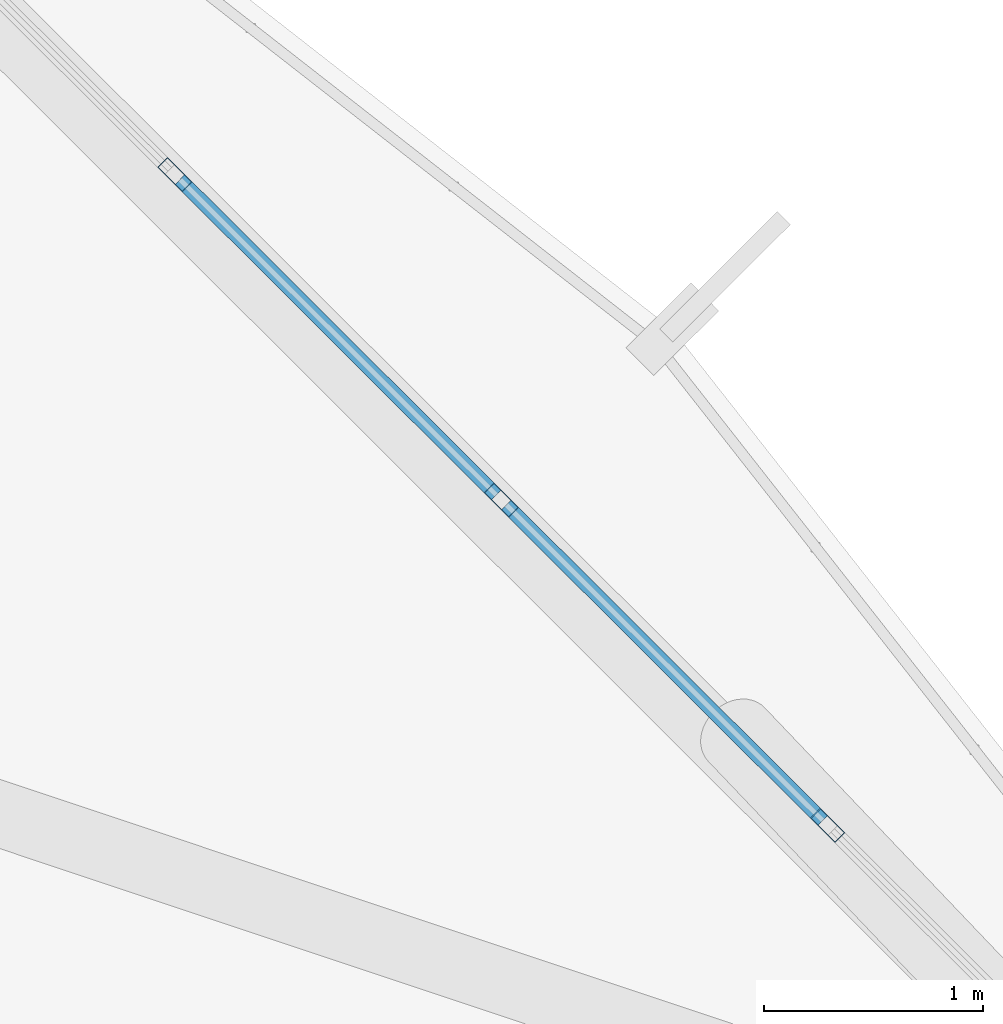
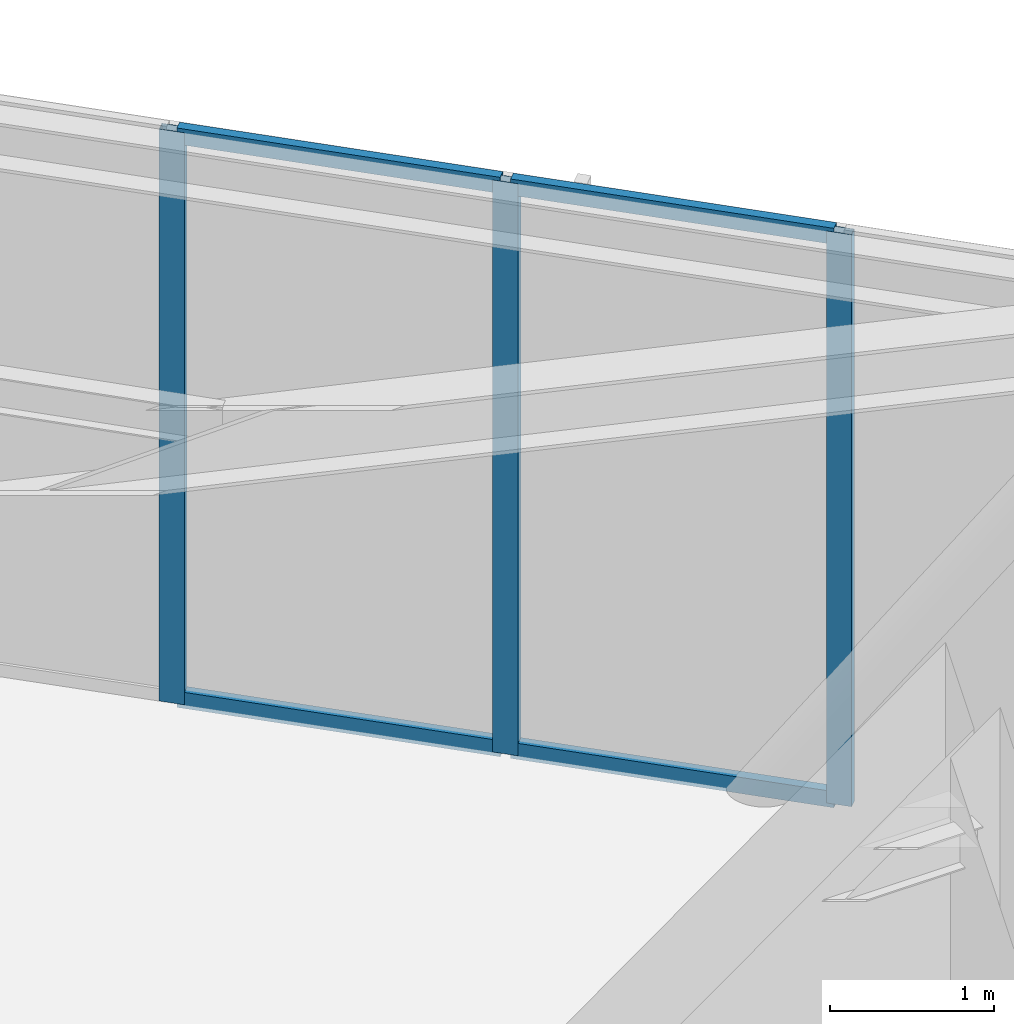
# One storey, part 14 of 26: 7 members, 1 element without a shape of its own.
"""IFC4 building model written with IfcOpenShell, lengths in metres."""

from ifc_helpers import new_model, si_unit, direction, frame, origin, origin_2d, place, context, subcontext, project, spatial, hollow_rectangle, extrude, material, layer, layer_set, material_profile, profile_set, type_object, element, aggregate, save


model = new_model("IFC4")

# Units and contexts
model_context = context("Model", 3, precision=1e-05, world=origin(), true_north=direction((0.0, 1.0)))
body_context = subcontext(model_context, "Body", "Model", "MODEL_VIEW")
ifc_project = project(units=[si_unit("LENGTHUNIT", "METRE"), si_unit("AREAUNIT", "SQUARE_METRE"), si_unit("VOLUMEUNIT", "CUBIC_METRE"), si_unit("PLANEANGLEUNIT", "RADIAN"), si_unit("MASSUNIT", "GRAM", prefix="KILO")], contexts=[model_context])

# Site, building, storey
site_placement = place(None, origin())
site = spatial("IfcSite", under=ifc_project, at=site_placement, CompositionType="ELEMENT")
building_placement = place(site_placement, origin())
building = spatial("IfcBuilding", under=site, at=building_placement, Name="Varnakorn Sky Granary", CompositionType="ELEMENT")
storey_placement = place(building_placement, frame((0.0, 0.0, 289.5)))
storey = spatial("IfcBuildingStorey", under=building, at=storey_placement, Name="L74", CompositionType="ELEMENT", Elevation=289.5)

# Curtain wall, members
ifc_material = material(Name="Anodised Bronze Aluminium Alloy 6063-T6", Category="aluminium")
ifc_layer = layer(ifc_material, 0.159912109375, Name="Anodised Bronze Aluminium Alloy 6063-T6")
ifc_layer_set = layer_set([ifc_layer], Name="Anodised Bronze Aluminium Alloy 6063-T6")
curtain_wall_type = type_object("IfcCurtainWallType", Name="CW-OFF-1", PredefinedType="USERDEFINED", material=ifc_layer_set)
curtain_wall_placement = place(storey_placement, origin())
curtain_wall = element("IfcCurtainWall", 1, at=curtain_wall_placement, inside=storey, type_object=curtain_wall_type, Name="Unitised Curtain Wall CW6 CW-L74-B02", ObjectType="CURTAIN WALL", PredefinedType="USERDEFINED")
ifc_material_profile_1 = material_profile(ifc_material, hollow_rectangle(XDim=0.06494140625, YDim=0.159912109375, WallThickness=0.00341796875, at=origin_2d()), Name="ALU MULL 65x160")
ifc_profile_set_1 = profile_set([ifc_material_profile_1], Name="Anodised Bronze Aluminium Alloy 6063-T6")
member_type_1 = type_object("IfcMemberType", Name="CW-OFF-1-MULL", PredefinedType="MULLION", material=ifc_profile_set_1)
member_1_placement = place(storey_placement, frame((15.3896484375, 13.484619140625, 0.0), z_axis=(0.0, 0.0, 1.0), x_axis=(0.706103251086, 0.708108889088, 0.0)))
member_1 = element("IfcMember", 2, at=member_1_placement, type_object=member_type_1, Name="CW6 mullion 2", PredefinedType="MULLION", context=body_context, shape_type="SweptSolid", body=[
    extrude(hollow_rectangle(XDim=0.06494140625, YDim=0.159912109375, WallThickness=0.00341796875, at=origin_2d()), origin(), (0.0, 0.0, 1.0), 4.260009765625),
])
member_2_placement = place(storey_placement, frame((16.88134765625, 11.9970703125, 0.0), z_axis=(0.0, 0.0, 1.0), x_axis=(0.706103251086, 0.708108889088, 0.0)))
member_2 = element("IfcMember", 3, at=member_2_placement, type_object=member_type_1, Name="CW6 mullion 3", PredefinedType="MULLION", context=body_context, shape_type="SweptSolid", body=[
    extrude(hollow_rectangle(XDim=0.06494140625, YDim=0.159912109375, WallThickness=0.00341796875, at=origin_2d()), origin(), (0.0, 0.0, 1.0), 4.260009765625),
])
member_3_placement = place(storey_placement, frame((18.373046875, 10.509765625, 0.0), z_axis=(0.0, 0.0, 1.0), x_axis=(0.706103251086, 0.708108889088, 0.0)))
member_3 = element("IfcMember", 4, at=member_3_placement, type_object=member_type_1, Name="CW6 mullion 4", PredefinedType="MULLION", context=body_context, shape_type="SweptSolid", body=[
    extrude(hollow_rectangle(XDim=0.06494140625, YDim=0.159912109375, WallThickness=0.00341796875, at=origin_2d()), origin(), (0.0, 0.0, 1.0), 4.260009765625),
])
ifc_material_profile_2 = material_profile(ifc_material, hollow_rectangle(XDim=0.06494140625, YDim=0.1201171875, WallThickness=0.00341796875, at=origin_2d()), Name="ALU TRAN 65x120")
ifc_profile_set_2 = profile_set([ifc_material_profile_2], Name="Anodised Bronze Aluminium Alloy 6063-T6")
member_type_2 = type_object("IfcMemberType", Name="CW-OFF-1-TRAN", PredefinedType="USERDEFINED", material=ifc_profile_set_2)
member_4_placement = place(storey_placement, frame((15.41259765625, 13.461669921875, 0.032470703125), z_axis=(0.708062814055, -0.706149453977, 0.0), x_axis=(0.706149453977, 0.708062814055, 0.0)))
member_4 = element("IfcMember", 5, at=member_4_placement, type_object=member_type_2, Name="CW6 transom 2.1", ObjectType="TRANSOM", PredefinedType="USERDEFINED", context=body_context, shape_type="SweptSolid", body=[
    extrude(hollow_rectangle(XDim=0.06494140625, YDim=0.1201171875, WallThickness=0.00341796875, at=origin_2d()), origin(), (0.0, 0.0, 1.0), 2.04150390625),
])
member_5_placement = place(storey_placement, frame((15.41259765625, 13.461669921875, 4.2275390625), z_axis=(0.708062814055, -0.706149453977, 0.0), x_axis=(0.706149453977, 0.708062814055, 0.0)))
member_5 = element("IfcMember", 6, at=member_5_placement, type_object=member_type_2, Name="CW6 transom 2.2", ObjectType="TRANSOM", PredefinedType="USERDEFINED", context=body_context, shape_type="SweptSolid", body=[
    extrude(hollow_rectangle(XDim=0.06494140625, YDim=0.1201171875, WallThickness=0.00341796875, at=origin_2d()), origin(), (0.0, 0.0, 1.0), 2.04150390625),
])
member_6_placement = place(storey_placement, frame((16.904296875, 11.97412109375, 0.032470703125), z_axis=(0.70812260885, -0.706089492087, 0.0), x_axis=(0.706089492087, 0.70812260885, 0.0)))
member_6 = element("IfcMember", 7, at=member_6_placement, type_object=member_type_2, Name="CW6 transom 3.1", ObjectType="TRANSOM", PredefinedType="USERDEFINED", context=body_context, shape_type="SweptSolid", body=[
    extrude(hollow_rectangle(XDim=0.06494140625, YDim=0.1201171875, WallThickness=0.00341796875, at=origin_2d()), origin(), (0.0, 0.0, 1.0), 2.04150390625),
])
member_7_placement = place(storey_placement, frame((16.904296875, 11.97412109375, 4.2275390625), z_axis=(0.70812260885, -0.706089492087, 0.0), x_axis=(0.706089492087, 0.70812260885, 0.0)))
member_7 = element("IfcMember", 8, at=member_7_placement, type_object=member_type_2, Name="CW6 transom 3.2", ObjectType="TRANSOM", PredefinedType="USERDEFINED", context=body_context, shape_type="SweptSolid", body=[
    extrude(hollow_rectangle(XDim=0.06494140625, YDim=0.1201171875, WallThickness=0.00341796875, at=origin_2d()), origin(), (0.0, 0.0, 1.0), 2.04150390625),
])
aggregate(curtain_wall, [member_1, member_2, member_3, member_4, member_5, member_6, member_7])

save(model, "model.ifc")
